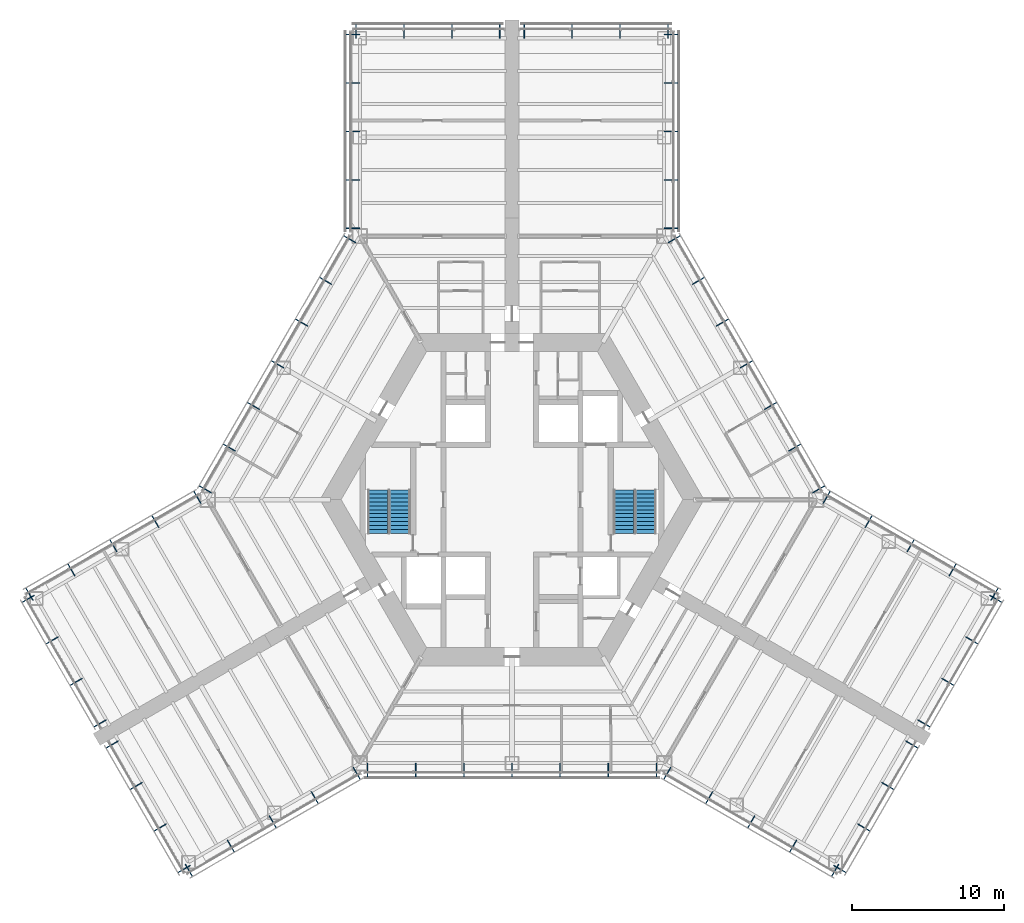
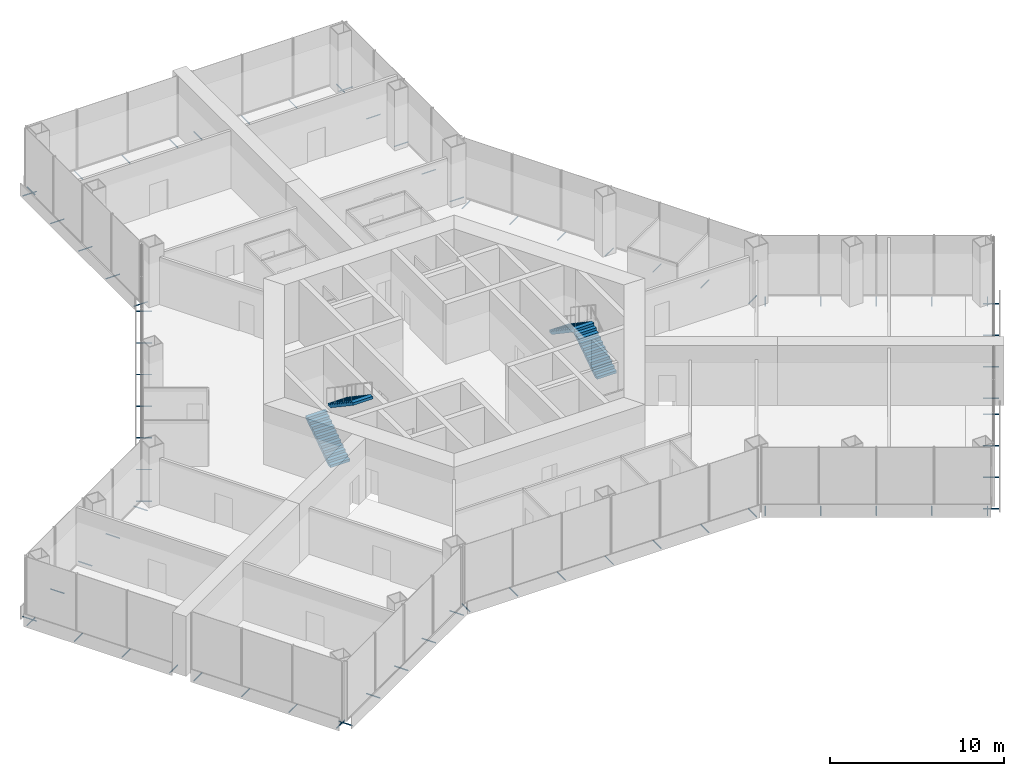
# One storey, part 14 of 16: 75 discrete accessories, 4 stair flights, 2 elements without a shape of their own.
"""IFC4 building model written with IfcOpenShell, lengths in metres."""

from ifc_helpers import new_model, si_unit, direction, frame, origin, origin_2d, place, context, subcontext, project, spatial, polyline, hollow_circle, outline, extrude, material, material_profile, profile_set, type_object, element, aggregate, save


model = new_model("IFC4")

# Units and contexts
model_context = context("Model", 3, precision=1e-05, world=origin(), true_north=direction((0.0, 1.0)))
body_context = subcontext(model_context, "Body", "Model", "MODEL_VIEW")
ifc_project = project(units=[si_unit("LENGTHUNIT", "METRE"), si_unit("AREAUNIT", "SQUARE_METRE"), si_unit("VOLUMEUNIT", "CUBIC_METRE"), si_unit("PLANEANGLEUNIT", "RADIAN"), si_unit("MASSUNIT", "GRAM", prefix="KILO")], contexts=[model_context])

# Site, building, storey
site_placement = place(None, origin())
site = spatial("IfcSite", under=ifc_project, at=site_placement, CompositionType="ELEMENT")
building_placement = place(site_placement, origin())
building = spatial("IfcBuilding", under=site, at=building_placement, Name="Kasaneha Research Tower", CompositionType="ELEMENT")
storey_placement = place(building_placement, frame((0.0, 0.0, 26.800048828125)))
storey = spatial("IfcBuildingStorey", under=building, at=storey_placement, Name="L07", CompositionType="ELEMENT", Elevation=26.800048828125)

# Stair, stair flights
ifc_material_1 = material(Name="Concrete Fc24", Category="concrete")
stair_type = type_object("IfcStairType", Name="Half-turn stair 24 risers", PredefinedType="HALF_TURN_STAIR", material=ifc_material_1)
stair_1_placement = place(storey_placement, origin())
stair_1 = element("IfcStair", 1, at=stair_1_placement, inside=storey, type_object=stair_type, Name="Stair 1 L07", PredefinedType="HALF_TURN_STAIR")
ifc_material_2 = material(Name="Concrete Fc24", Category="concrete")
stair_flight_type = type_object("IfcStairFlightType", Name="Stair flight 12 risers 175.0", PredefinedType="STRAIGHT", material=ifc_material_2)
stair_flight_1_placement = place(storey_placement, frame((8.824951171875, -2.22509765625, 0.0), z_axis=(0.0, 0.0, 1.0), x_axis=(0.0, 1.0, 0.0)))
stair_flight_1 = element("IfcStairFlight", 2, at=stair_flight_1_placement, type_object=stair_flight_type, Name="ST1-24R flight 1", NumberOfRisers=12, NumberOfTreads=11, PredefinedType="STRAIGHT", RiserHeight=0.175, TreadLength=0.26, context=body_context, shape_type="SweptSolid", body=[
    extrude(outline(polyline([(0.0, 0.0), (0.0, 0.175048828125), (0.260009765625, 0.175048828125), (0.260009765625, 0.35009765625), (0.52001953125, 0.35009765625), (0.52001953125, 0.52490234375), (0.780029296875, 0.52490234375), (0.780029296875, 0.699951171875), (1.0400390625, 0.699951171875), (1.0400390625, 0.875), (1.300048828125, 0.875), (1.300048828125, 1.050048828125), (1.56005859375, 1.050048828125), (1.56005859375, 1.22509765625), (1.820068359375, 1.22509765625), (1.820068359375, 1.39990234375), (2.080078125, 1.39990234375), (2.080078125, 1.574951171875), (2.340087890625, 1.574951171875), (2.340087890625, 1.75), (2.60009765625, 1.75), (2.60009765625, 1.925048828125), (2.860107421875, 1.925048828125), (2.860107421875, 2.10009765625), (2.860107421875, 1.744384765625), (0.2685546875, 0.0), (0.0, 0.0)])), frame((0.0, 0.64990234375, 0.0), z_axis=(0.0, -1.0, 0.0), x_axis=(1.0, 0.0, 0.0)), (0.0, 0.0, 1.0), 1.300048828125),
])
stair_flight_2_placement = place(storey_placement, frame((7.324951171875, 0.635009765625, 2.099853515625), z_axis=(0.0, 0.0, 1.0), x_axis=(0.0, -1.0, 0.0)))
stair_flight_2 = element("IfcStairFlight", 3, at=stair_flight_2_placement, type_object=stair_flight_type, Name="ST1-24R flight 2", NumberOfRisers=12, NumberOfTreads=11, PredefinedType="STRAIGHT", RiserHeight=0.175, TreadLength=0.26, context=body_context, shape_type="SweptSolid", body=[
    extrude(outline(polyline([(0.0, 0.0), (0.0, 0.175048828125), (0.260009765625, 0.175048828125), (0.260009765625, 0.35009765625), (0.52001953125, 0.35009765625), (0.52001953125, 0.52490234375), (0.780029296875, 0.52490234375), (0.780029296875, 0.699951171875), (1.0400390625, 0.699951171875), (1.0400390625, 0.875), (1.300048828125, 0.875), (1.300048828125, 1.050048828125), (1.56005859375, 1.050048828125), (1.56005859375, 1.22509765625), (1.820068359375, 1.22509765625), (1.820068359375, 1.39990234375), (2.080078125, 1.39990234375), (2.080078125, 1.574951171875), (2.340087890625, 1.574951171875), (2.340087890625, 1.75), (2.60009765625, 1.75), (2.60009765625, 1.925048828125), (2.860107421875, 1.925048828125), (2.860107421875, 2.10009765625), (2.860107421875, 1.744384765625), (0.2685546875, 0.0), (0.0, 0.0)])), frame((0.0, 0.64990234375, 0.0), z_axis=(0.0, -1.0, 0.0), x_axis=(1.0, 0.0, 0.0)), (0.0, 0.0, 1.0), 1.300048828125),
])
aggregate(stair_1, [stair_flight_1, stair_flight_2])

stair_2_placement = place(storey_placement, origin())
stair_2 = element("IfcStair", 4, at=stair_2_placement, inside=storey, type_object=stair_type, Name="Stair 2 L07", PredefinedType="HALF_TURN_STAIR")
stair_flight_3_placement = place(storey_placement, frame((-8.824951171875, -2.22509765625, 0.0), z_axis=(0.0, 0.0, 1.0), x_axis=(0.0, 1.0, 0.0)))
stair_flight_3 = element("IfcStairFlight", 5, at=stair_flight_3_placement, type_object=stair_flight_type, Name="ST2-24R flight 1", NumberOfRisers=12, NumberOfTreads=11, PredefinedType="STRAIGHT", RiserHeight=0.175, TreadLength=0.26, context=body_context, shape_type="SweptSolid", body=[
    extrude(outline(polyline([(0.0, 0.0), (0.0, 0.175048828125), (0.260009765625, 0.175048828125), (0.260009765625, 0.35009765625), (0.52001953125, 0.35009765625), (0.52001953125, 0.52490234375), (0.780029296875, 0.52490234375), (0.780029296875, 0.699951171875), (1.0400390625, 0.699951171875), (1.0400390625, 0.875), (1.300048828125, 0.875), (1.300048828125, 1.050048828125), (1.56005859375, 1.050048828125), (1.56005859375, 1.22509765625), (1.820068359375, 1.22509765625), (1.820068359375, 1.39990234375), (2.080078125, 1.39990234375), (2.080078125, 1.574951171875), (2.340087890625, 1.574951171875), (2.340087890625, 1.75), (2.60009765625, 1.75), (2.60009765625, 1.925048828125), (2.860107421875, 1.925048828125), (2.860107421875, 2.10009765625), (2.860107421875, 1.744384765625), (0.2685546875, 0.0), (0.0, 0.0)])), frame((0.0, 0.64990234375, 0.0), z_axis=(0.0, -1.0, 0.0), x_axis=(1.0, 0.0, 0.0)), (0.0, 0.0, 1.0), 1.300048828125),
])
stair_flight_4_placement = place(storey_placement, frame((-7.324951171875, 0.635009765625, 2.099853515625), z_axis=(0.0, 0.0, 1.0), x_axis=(0.0, -1.0, 0.0)))
stair_flight_4 = element("IfcStairFlight", 6, at=stair_flight_4_placement, type_object=stair_flight_type, Name="ST2-24R flight 2", NumberOfRisers=12, NumberOfTreads=11, PredefinedType="STRAIGHT", RiserHeight=0.175, TreadLength=0.26, context=body_context, shape_type="SweptSolid", body=[
    extrude(outline(polyline([(0.0, 0.0), (0.0, 0.175048828125), (0.260009765625, 0.175048828125), (0.260009765625, 0.35009765625), (0.52001953125, 0.35009765625), (0.52001953125, 0.52490234375), (0.780029296875, 0.52490234375), (0.780029296875, 0.699951171875), (1.0400390625, 0.699951171875), (1.0400390625, 0.875), (1.300048828125, 0.875), (1.300048828125, 1.050048828125), (1.56005859375, 1.050048828125), (1.56005859375, 1.22509765625), (1.820068359375, 1.22509765625), (1.820068359375, 1.39990234375), (2.080078125, 1.39990234375), (2.080078125, 1.574951171875), (2.340087890625, 1.574951171875), (2.340087890625, 1.75), (2.60009765625, 1.75), (2.60009765625, 1.925048828125), (2.860107421875, 1.925048828125), (2.860107421875, 2.10009765625), (2.860107421875, 1.744384765625), (0.2685546875, 0.0), (0.0, 0.0)])), frame((0.0, 0.64990234375, 0.0), z_axis=(0.0, -1.0, 0.0), x_axis=(1.0, 0.0, 0.0)), (0.0, 0.0, 1.0), 1.300048828125),
])
aggregate(stair_2, [stair_flight_3, stair_flight_4])

# Discrete accessories
ifc_material_3 = material(Name="Steel STK400", Category="steel")
ifc_material_profile = material_profile(ifc_material_3, hollow_circle(Radius=0.0380859375, WallThickness=0.00390625, at=origin_2d()), Name="CHS-76.3x4.0")
ifc_profile_set = profile_set([ifc_material_profile], Name="Steel STK400")
discrete_accessory_type = type_object("IfcDiscreteAccessoryType", Name="Screen bracket CHS-76.3x4.0", PredefinedType="BRACKET", material=ifc_profile_set)
discrete_accessory_1_placement = place(storey_placement, frame((-21.474853515625, -23.945556640625, -0.35009765625), z_axis=(0.500021113727, -0.866013213425, 0.0), x_axis=(0.866013213425, 0.500021113727, 0.0)))
element("IfcDiscreteAccessory", 7, at=discrete_accessory_1_placement, inside=storey, type_object=discrete_accessory_type, Name="Screen bracket 1", PredefinedType="BRACKET", context=body_context, shape_type="SweptSolid", body=[
    extrude(hollow_circle(Radius=0.0380859375, WallThickness=0.00390625, at=origin_2d()), origin(), (0.0, 0.0, 1.0), 0.919921875),
])
discrete_accessory_2_placement = place(storey_placement, frame((-18.716796875, -22.35302734375, -0.35009765625), z_axis=(0.500105201737, -0.865964657013, 0.0), x_axis=(0.865964657013, 0.500105201737, 0.0)))
element("IfcDiscreteAccessory", 8, at=discrete_accessory_2_placement, inside=storey, type_object=discrete_accessory_type, Name="Screen bracket 2", PredefinedType="BRACKET", context=body_context, shape_type="SweptSolid", body=[
    extrude(hollow_circle(Radius=0.0380859375, WallThickness=0.00390625, at=origin_2d()), origin(), (0.0, 0.0, 1.0), 0.920166015625),
])
discrete_accessory_3_placement = place(storey_placement, frame((-15.95849609375, -20.7607421875, -0.35009765625), z_axis=(0.500021113727, -0.866013213425, 0.0), x_axis=(0.866013213425, 0.500021113727, 0.0)))
element("IfcDiscreteAccessory", 9, at=discrete_accessory_3_placement, inside=storey, type_object=discrete_accessory_type, Name="Screen bracket 3", PredefinedType="BRACKET", context=body_context, shape_type="SweptSolid", body=[
    extrude(hollow_circle(Radius=0.0380859375, WallThickness=0.00390625, at=origin_2d()), origin(), (0.0, 0.0, 1.0), 0.919921875),
])
discrete_accessory_4_placement = place(storey_placement, frame((-13.200439453125, -19.168212890625, -0.35009765625), z_axis=(0.499906209203, -0.866079547155, 0.0), x_axis=(0.866079547155, 0.499906209203, 0.0)))
element("IfcDiscreteAccessory", 10, at=discrete_accessory_4_placement, inside=storey, type_object=discrete_accessory_type, Name="Screen bracket 4", PredefinedType="BRACKET", context=body_context, shape_type="SweptSolid", body=[
    extrude(hollow_circle(Radius=0.0380859375, WallThickness=0.00390625, at=origin_2d()), origin(), (0.0, 0.0, 1.0), 0.920166015625),
])
for number, where, z_axis, x_axis, name in (
    (11, (-10.4423828125, -17.575927734375, -0.35009765625), (0.500021113727, -0.866013213425, 0.0), (0.866013213425, 0.500021113727, 0.0), "Screen bracket 5"),
    (12, (-9.4892578125, -17.320556640625, -0.35009765625), (0.0, -1.0, 0.0), (1.0, 0.0, 0.0), "Screen bracket 1"),
    (13, (-6.326171875, -17.320556640625, -0.35009765625), (0.0, -1.0, 0.0), (1.0, 0.0, 0.0), "Screen bracket 2"),
    (14, (-3.1630859375, -17.320556640625, -0.35009765625), (0.0, -1.0, 0.0), (1.0, 0.0, 0.0), "Screen bracket 3"),
    (15, (0.0, -17.320556640625, -0.35009765625), (0.0, -1.0, 0.0), (1.0, 0.0, 0.0), "Screen bracket 4"),
    (16, (3.1630859375, -17.320556640625, -0.35009765625), (0.0, -1.0, 0.0), (1.0, 0.0, 0.0), "Screen bracket 5"),
    (17, (6.326171875, -17.320556640625, -0.35009765625), (0.0, -1.0, 0.0), (1.0, 0.0, 0.0), "Screen bracket 6"),
    (18, (9.4892578125, -17.320556640625, -0.35009765625), (0.0, -1.0, 0.0), (1.0, 0.0, 0.0), "Screen bracket 7"),
    (19, (10.4423828125, -17.575927734375, -0.35009765625), (-0.500021113727, -0.866013213425, 0.0), (0.866013213425, -0.500021113727, 0.0), "Screen bracket 1"),
):
    element("IfcDiscreteAccessory", number, at=place(storey_placement, frame(where, z_axis=z_axis, x_axis=x_axis)), inside=storey, type_object=discrete_accessory_type, Name=name, PredefinedType="BRACKET", context=body_context, shape_type="SweptSolid", body=[
        extrude(hollow_circle(Radius=0.0380859375, WallThickness=0.00390625, at=origin_2d()), origin(), (0.0, 0.0, 1.0), 0.919921875),
    ])
discrete_accessory_5_placement = place(storey_placement, frame((13.200439453125, -19.168212890625, -0.35009765625), z_axis=(-0.499906209203, -0.866079547155, 0.0), x_axis=(0.866079547155, -0.499906209203, 0.0)))
element("IfcDiscreteAccessory", 20, at=discrete_accessory_5_placement, inside=storey, type_object=discrete_accessory_type, Name="Screen bracket 2", PredefinedType="BRACKET", context=body_context, shape_type="SweptSolid", body=[
    extrude(hollow_circle(Radius=0.0380859375, WallThickness=0.00390625, at=origin_2d()), origin(), (0.0, 0.0, 1.0), 0.920166015625),
])
discrete_accessory_6_placement = place(storey_placement, frame((15.95849609375, -20.7607421875, -0.35009765625), z_axis=(-0.500021113727, -0.866013213425, 0.0), x_axis=(0.866013213425, -0.500021113727, 0.0)))
element("IfcDiscreteAccessory", 21, at=discrete_accessory_6_placement, inside=storey, type_object=discrete_accessory_type, Name="Screen bracket 3", PredefinedType="BRACKET", context=body_context, shape_type="SweptSolid", body=[
    extrude(hollow_circle(Radius=0.0380859375, WallThickness=0.00390625, at=origin_2d()), origin(), (0.0, 0.0, 1.0), 0.919921875),
])
discrete_accessory_7_placement = place(storey_placement, frame((18.716796875, -22.35302734375, -0.35009765625), z_axis=(-0.500105201737, -0.865964657013, 0.0), x_axis=(0.865964657013, -0.500105201737, 0.0)))
element("IfcDiscreteAccessory", 22, at=discrete_accessory_7_placement, inside=storey, type_object=discrete_accessory_type, Name="Screen bracket 4", PredefinedType="BRACKET", context=body_context, shape_type="SweptSolid", body=[
    extrude(hollow_circle(Radius=0.0380859375, WallThickness=0.00390625, at=origin_2d()), origin(), (0.0, 0.0, 1.0), 0.920166015625),
])
discrete_accessory_8_placement = place(storey_placement, frame((21.474853515625, -23.945556640625, -0.35009765625), z_axis=(-0.500021113727, -0.866013213425, 0.0), x_axis=(0.866013213425, -0.500021113727, 0.0)))
element("IfcDiscreteAccessory", 23, at=discrete_accessory_8_placement, inside=storey, type_object=discrete_accessory_type, Name="Screen bracket 5", PredefinedType="BRACKET", context=body_context, shape_type="SweptSolid", body=[
    extrude(hollow_circle(Radius=0.0380859375, WallThickness=0.00390625, at=origin_2d()), origin(), (0.0, 0.0, 1.0), 0.919921875),
])
for number, where, z_axis, x_axis, name in (
    (24, (21.13330078125, -24.037109375, -0.35009765625), (0.866079547155, -0.499906209203, 0.0), (0.499906209203, 0.866079547155, 0.0), "Screen bracket 1"),
    (25, (22.708251953125, -21.30908203125, -0.35009765625), (0.866079547155, -0.499906209203, 0.0), (0.499906209203, 0.866079547155, 0.0), "Screen bracket 2"),
):
    element("IfcDiscreteAccessory", number, at=place(storey_placement, frame(where, z_axis=z_axis, x_axis=x_axis)), inside=storey, type_object=discrete_accessory_type, Name=name, PredefinedType="BRACKET", context=body_context, shape_type="SweptSolid", body=[
        extrude(hollow_circle(Radius=0.0380859375, WallThickness=0.00390625, at=origin_2d()), origin(), (0.0, 0.0, 1.0), 0.920166015625),
    ])
for number, where, z_axis, x_axis, name in (
    (26, (24.283447265625, -18.5810546875, -0.35009765625), (0.866013213425, -0.500021113727, 0.0), (0.500021113727, 0.866013213425, 0.0), "Screen bracket 3"),
    (27, (25.8583984375, -15.85302734375, -0.35009765625), (0.866013213425, -0.500021113727, 0.0), (0.500021113727, 0.866013213425, 0.0), "Screen bracket 4"),
    (28, (26.658447265625, -14.467529296875, -0.35009765625), (0.866013213425, -0.500021113727, 0.0), (0.500021113727, 0.866013213425, 0.0), "Screen bracket 1"),
    (29, (28.2333984375, -11.739501953125, -0.35009765625), (0.866013213425, -0.500021113727, 0.0), (0.500021113727, 0.866013213425, 0.0), "Screen bracket 2"),
    (30, (29.808349609375, -9.011474609375, -0.35009765625), (0.866013213425, -0.500021113727, 0.0), (0.500021113727, 0.866013213425, 0.0), "Screen bracket 3"),
):
    element("IfcDiscreteAccessory", number, at=place(storey_placement, frame(where, z_axis=z_axis, x_axis=x_axis)), inside=storey, type_object=discrete_accessory_type, Name=name, PredefinedType="BRACKET", context=body_context, shape_type="SweptSolid", body=[
        extrude(hollow_circle(Radius=0.0380859375, WallThickness=0.00390625, at=origin_2d()), origin(), (0.0, 0.0, 1.0), 0.919921875),
    ])
discrete_accessory_9_placement = place(storey_placement, frame((31.38330078125, -6.283447265625, -0.35009765625), z_axis=(0.866079547155, -0.499906209203, 0.0), x_axis=(0.499906209203, 0.866079547155, 0.0)))
element("IfcDiscreteAccessory", 31, at=discrete_accessory_9_placement, inside=storey, type_object=discrete_accessory_type, Name="Screen bracket 4", PredefinedType="BRACKET", context=body_context, shape_type="SweptSolid", body=[
    extrude(hollow_circle(Radius=0.0380859375, WallThickness=0.00390625, at=origin_2d()), origin(), (0.0, 0.0, 1.0), 0.920166015625),
])
discrete_accessory_10_placement = place(storey_placement, frame((31.474853515625, -6.625, -0.35009765625), z_axis=(0.500021113727, 0.866013213425, 0.0), x_axis=(-0.866013213425, 0.500021113727, 0.0)))
element("IfcDiscreteAccessory", 32, at=discrete_accessory_10_placement, inside=storey, type_object=discrete_accessory_type, Name="Screen bracket 1", PredefinedType="BRACKET", context=body_context, shape_type="SweptSolid", body=[
    extrude(hollow_circle(Radius=0.0380859375, WallThickness=0.00390625, at=origin_2d()), origin(), (0.0, 0.0, 1.0), 0.919921875),
])
discrete_accessory_11_placement = place(storey_placement, frame((28.716796875, -5.03271484375, -0.35009765625), z_axis=(0.499906209203, 0.866079547155, 0.0), x_axis=(-0.866079547155, 0.499906209203, 0.0)))
element("IfcDiscreteAccessory", 33, at=discrete_accessory_11_placement, inside=storey, type_object=discrete_accessory_type, Name="Screen bracket 2", PredefinedType="BRACKET", context=body_context, shape_type="SweptSolid", body=[
    extrude(hollow_circle(Radius=0.0380859375, WallThickness=0.00390625, at=origin_2d()), origin(), (0.0, 0.0, 1.0), 0.920166015625),
])
discrete_accessory_12_placement = place(storey_placement, frame((25.95849609375, -3.440185546875, -0.35009765625), z_axis=(0.500220121494, 0.865898279276, 0.0), x_axis=(-0.865898279276, 0.500220121494, 0.0)))
element("IfcDiscreteAccessory", 34, at=discrete_accessory_12_placement, inside=storey, type_object=discrete_accessory_type, Name="Screen bracket 3", PredefinedType="BRACKET", context=body_context, shape_type="SweptSolid", body=[
    extrude(hollow_circle(Radius=0.0380859375, WallThickness=0.00390625, at=origin_2d()), origin(), (0.0, 0.0, 1.0), 0.919921875),
])
discrete_accessory_13_placement = place(storey_placement, frame((23.200439453125, -1.847900390625, -0.35009765625), z_axis=(0.499906209203, 0.866079547155, 0.0), x_axis=(-0.866079547155, 0.499906209203, 0.0)))
element("IfcDiscreteAccessory", 35, at=discrete_accessory_13_placement, inside=storey, type_object=discrete_accessory_type, Name="Screen bracket 4", PredefinedType="BRACKET", context=body_context, shape_type="SweptSolid", body=[
    extrude(hollow_circle(Radius=0.0380859375, WallThickness=0.00390625, at=origin_2d()), origin(), (0.0, 0.0, 1.0), 0.920166015625),
])
for number, where, z_axis, x_axis, name in (
    (36, (20.4423828125, -0.25537109375, -0.35009765625), (0.500021113727, 0.866013213425, 0.0), (-0.866013213425, 0.500021113727, 0.0), "Screen bracket 5"),
    (37, (19.74462890625, 0.4423828125, -0.35009765625), (0.866013213425, 0.500021113727, 0.0), (-0.500021113727, 0.866013213425, 0.0), "Screen bracket 1"),
    (38, (18.1630859375, 3.181640625, -0.35009765625), (0.866013213425, 0.500021113727, 0.0), (-0.500021113727, 0.866013213425, 0.0), "Screen bracket 2"),
    (39, (16.58154296875, 5.9208984375, -0.35009765625), (0.866013213425, 0.500021113727, 0.0), (-0.500021113727, 0.866013213425, 0.0), "Screen bracket 3"),
    (40, (15.0, 8.66015625, -0.35009765625), (0.865898279276, 0.500220121494, 0.0), (-0.500220121494, 0.865898279276, 0.0), "Screen bracket 4"),
    (41, (13.41845703125, 11.399658203125, -0.35009765625), (0.866013213425, 0.500021113727, 0.0), (-0.500021113727, 0.866013213425, 0.0), "Screen bracket 5"),
    (42, (11.8369140625, 14.138916015625, -0.35009765625), (0.866013213425, 0.500021113727, 0.0), (-0.500021113727, 0.866013213425, 0.0), "Screen bracket 6"),
):
    element("IfcDiscreteAccessory", number, at=place(storey_placement, frame(where, z_axis=z_axis, x_axis=x_axis)), inside=storey, type_object=discrete_accessory_type, Name=name, PredefinedType="BRACKET", context=body_context, shape_type="SweptSolid", body=[
        extrude(hollow_circle(Radius=0.0380859375, WallThickness=0.00390625, at=origin_2d()), origin(), (0.0, 0.0, 1.0), 0.919921875),
    ])
discrete_accessory_14_placement = place(storey_placement, frame((10.25537109375, 16.878173828125, -0.35009765625), z_axis=(0.866079547155, 0.499906209203, 0.0), x_axis=(-0.499906209203, 0.866079547155, 0.0)))
element("IfcDiscreteAccessory", 43, at=discrete_accessory_14_placement, inside=storey, type_object=discrete_accessory_type, Name="Screen bracket 7", PredefinedType="BRACKET", context=body_context, shape_type="SweptSolid", body=[
    extrude(hollow_circle(Radius=0.0380859375, WallThickness=0.00390625, at=origin_2d()), origin(), (0.0, 0.0, 1.0), 0.920166015625),
])
for number, where, z_axis, x_axis, name in (
    (44, (10.0, 17.831298828125, -0.35009765625), (1.0, 0.0, 0.0), (0.0, 1.0, 0.0), "Screen bracket 1"),
    (45, (10.0, 21.01611328125, -0.35009765625), (1.0, 0.0, 0.0), (0.0, 1.0, 0.0), "Screen bracket 2"),
    (46, (10.0, 24.200927734375, -0.35009765625), (1.0, 0.0, 0.0), (0.0, 1.0, 0.0), "Screen bracket 3"),
    (47, (10.0, 27.3857421875, -0.35009765625), (1.0, 0.0, 0.0), (0.0, 1.0, 0.0), "Screen bracket 4"),
    (48, (10.0, 30.570556640625, -0.35009765625), (1.0, 0.0, 0.0), (0.0, 1.0, 0.0), "Screen bracket 5"),
    (49, (10.25, 30.320556640625, -0.35009765625), (0.0, 1.0, 0.0), (-1.0, 0.0, 0.0), "Screen bracket 1"),
    (50, (7.10009765625, 30.320556640625, -0.35009765625), (0.0, 1.0, 0.0), (-1.0, 0.0, 0.0), "Screen bracket 2"),
    (51, (3.949951171875, 30.320556640625, -0.35009765625), (0.0, 1.0, 0.0), (-1.0, 0.0, 0.0), "Screen bracket 3"),
    (52, (0.800048828125, 30.320556640625, -0.35009765625), (0.0, 1.0, 0.0), (-1.0, 0.0, 0.0), "Screen bracket 4"),
    (53, (-0.800048828125, 30.320556640625, -0.35009765625), (0.0, 1.0, 0.0), (-1.0, 0.0, 0.0), "Screen bracket 1"),
    (54, (-3.949951171875, 30.320556640625, -0.35009765625), (0.0, 1.0, 0.0), (-1.0, 0.0, 0.0), "Screen bracket 2"),
    (55, (-7.10009765625, 30.320556640625, -0.35009765625), (0.0, 1.0, 0.0), (-1.0, 0.0, 0.0), "Screen bracket 3"),
    (56, (-10.25, 30.320556640625, -0.35009765625), (0.0, 1.0, 0.0), (-1.0, 0.0, 0.0), "Screen bracket 4"),
    (57, (-10.0, 30.570556640625, -0.35009765625), (-1.0, 0.0, 0.0), (0.0, -1.0, 0.0), "Screen bracket 1"),
    (58, (-10.0, 27.3857421875, -0.35009765625), (-1.0, 0.0, 0.0), (0.0, -1.0, 0.0), "Screen bracket 2"),
    (59, (-10.0, 24.200927734375, -0.35009765625), (-1.0, 0.0, 0.0), (0.0, -1.0, 0.0), "Screen bracket 3"),
    (60, (-10.0, 21.01611328125, -0.35009765625), (-1.0, 0.0, 0.0), (0.0, -1.0, 0.0), "Screen bracket 4"),
    (61, (-10.0, 17.831298828125, -0.35009765625), (-1.0, 0.0, 0.0), (0.0, -1.0, 0.0), "Screen bracket 5"),
):
    element("IfcDiscreteAccessory", number, at=place(storey_placement, frame(where, z_axis=z_axis, x_axis=x_axis)), inside=storey, type_object=discrete_accessory_type, Name=name, PredefinedType="BRACKET", context=body_context, shape_type="SweptSolid", body=[
        extrude(hollow_circle(Radius=0.0380859375, WallThickness=0.00390625, at=origin_2d()), origin(), (0.0, 0.0, 1.0), 0.919921875),
    ])
discrete_accessory_15_placement = place(storey_placement, frame((-10.25537109375, 16.878173828125, -0.35009765625), z_axis=(-0.866079547155, 0.499906209203, 0.0), x_axis=(-0.499906209203, -0.866079547155, 0.0)))
element("IfcDiscreteAccessory", 62, at=discrete_accessory_15_placement, inside=storey, type_object=discrete_accessory_type, Name="Screen bracket 1", PredefinedType="BRACKET", context=body_context, shape_type="SweptSolid", body=[
    extrude(hollow_circle(Radius=0.0380859375, WallThickness=0.00390625, at=origin_2d()), origin(), (0.0, 0.0, 1.0), 0.920166015625),
])
for number, where, z_axis, x_axis, name in (
    (63, (-11.8369140625, 14.138916015625, -0.35009765625), (-0.866013213425, 0.500021113727, 0.0), (-0.500021113727, -0.866013213425, 0.0), "Screen bracket 2"),
    (64, (-13.41845703125, 11.399658203125, -0.35009765625), (-0.866013213425, 0.500021113727, 0.0), (-0.500021113727, -0.866013213425, 0.0), "Screen bracket 3"),
    (65, (-15.0, 8.66015625, -0.35009765625), (-0.865898279276, 0.500220121494, 0.0), (-0.500220121494, -0.865898279276, 0.0), "Screen bracket 4"),
    (66, (-16.58154296875, 5.9208984375, -0.35009765625), (-0.866013213425, 0.500021113727, 0.0), (-0.500021113727, -0.866013213425, 0.0), "Screen bracket 5"),
    (67, (-18.1630859375, 3.181640625, -0.35009765625), (-0.866013213425, 0.500021113727, 0.0), (-0.500021113727, -0.866013213425, 0.0), "Screen bracket 6"),
    (68, (-19.74462890625, 0.4423828125, -0.35009765625), (-0.866013213425, 0.500021113727, 0.0), (-0.500021113727, -0.866013213425, 0.0), "Screen bracket 7"),
    (69, (-20.4423828125, -0.25537109375, -0.35009765625), (-0.500021113727, 0.866013213425, 0.0), (-0.866013213425, -0.500021113727, 0.0), "Screen bracket 1"),
):
    element("IfcDiscreteAccessory", number, at=place(storey_placement, frame(where, z_axis=z_axis, x_axis=x_axis)), inside=storey, type_object=discrete_accessory_type, Name=name, PredefinedType="BRACKET", context=body_context, shape_type="SweptSolid", body=[
        extrude(hollow_circle(Radius=0.0380859375, WallThickness=0.00390625, at=origin_2d()), origin(), (0.0, 0.0, 1.0), 0.919921875),
    ])
discrete_accessory_16_placement = place(storey_placement, frame((-23.200439453125, -1.847900390625, -0.35009765625), z_axis=(-0.499906209203, 0.866079547155, 0.0), x_axis=(-0.866079547155, -0.499906209203, 0.0)))
element("IfcDiscreteAccessory", 70, at=discrete_accessory_16_placement, inside=storey, type_object=discrete_accessory_type, Name="Screen bracket 2", PredefinedType="BRACKET", context=body_context, shape_type="SweptSolid", body=[
    extrude(hollow_circle(Radius=0.0380859375, WallThickness=0.00390625, at=origin_2d()), origin(), (0.0, 0.0, 1.0), 0.920166015625),
])
discrete_accessory_17_placement = place(storey_placement, frame((-25.95849609375, -3.440185546875, -0.35009765625), z_axis=(-0.500220121494, 0.865898279276, 0.0), x_axis=(-0.865898279276, -0.500220121494, 0.0)))
element("IfcDiscreteAccessory", 71, at=discrete_accessory_17_placement, inside=storey, type_object=discrete_accessory_type, Name="Screen bracket 3", PredefinedType="BRACKET", context=body_context, shape_type="SweptSolid", body=[
    extrude(hollow_circle(Radius=0.0380859375, WallThickness=0.00390625, at=origin_2d()), origin(), (0.0, 0.0, 1.0), 0.919921875),
])
discrete_accessory_18_placement = place(storey_placement, frame((-28.716796875, -5.03271484375, -0.35009765625), z_axis=(-0.499906209203, 0.866079547155, 0.0), x_axis=(-0.866079547155, -0.499906209203, 0.0)))
element("IfcDiscreteAccessory", 72, at=discrete_accessory_18_placement, inside=storey, type_object=discrete_accessory_type, Name="Screen bracket 4", PredefinedType="BRACKET", context=body_context, shape_type="SweptSolid", body=[
    extrude(hollow_circle(Radius=0.0380859375, WallThickness=0.00390625, at=origin_2d()), origin(), (0.0, 0.0, 1.0), 0.920166015625),
])
discrete_accessory_19_placement = place(storey_placement, frame((-31.474853515625, -6.625, -0.35009765625), z_axis=(-0.500021113727, 0.866013213425, 0.0), x_axis=(-0.866013213425, -0.500021113727, 0.0)))
element("IfcDiscreteAccessory", 73, at=discrete_accessory_19_placement, inside=storey, type_object=discrete_accessory_type, Name="Screen bracket 5", PredefinedType="BRACKET", context=body_context, shape_type="SweptSolid", body=[
    extrude(hollow_circle(Radius=0.0380859375, WallThickness=0.00390625, at=origin_2d()), origin(), (0.0, 0.0, 1.0), 0.919921875),
])
discrete_accessory_20_placement = place(storey_placement, frame((-31.38330078125, -6.283447265625, -0.35009765625), z_axis=(-0.866079547155, -0.499906209203, 0.0), x_axis=(0.499906209203, -0.866079547155, 0.0)))
element("IfcDiscreteAccessory", 74, at=discrete_accessory_20_placement, inside=storey, type_object=discrete_accessory_type, Name="Screen bracket 1", PredefinedType="BRACKET", context=body_context, shape_type="SweptSolid", body=[
    extrude(hollow_circle(Radius=0.0380859375, WallThickness=0.00390625, at=origin_2d()), origin(), (0.0, 0.0, 1.0), 0.920166015625),
])
for number, where, z_axis, x_axis, name in (
    (75, (-29.808349609375, -9.011474609375, -0.35009765625), (-0.866013213425, -0.500021113727, 0.0), (0.500021113727, -0.866013213425, 0.0), "Screen bracket 2"),
    (76, (-28.2333984375, -11.739501953125, -0.35009765625), (-0.866013213425, -0.500021113727, 0.0), (0.500021113727, -0.866013213425, 0.0), "Screen bracket 3"),
    (77, (-26.658447265625, -14.467529296875, -0.35009765625), (-0.866013213425, -0.500021113727, 0.0), (0.500021113727, -0.866013213425, 0.0), "Screen bracket 4"),
    (78, (-25.8583984375, -15.85302734375, -0.35009765625), (-0.866013213425, -0.500021113727, 0.0), (0.500021113727, -0.866013213425, 0.0), "Screen bracket 1"),
    (79, (-24.283447265625, -18.5810546875, -0.35009765625), (-0.866013213425, -0.500021113727, 0.0), (0.500021113727, -0.866013213425, 0.0), "Screen bracket 2"),
):
    element("IfcDiscreteAccessory", number, at=place(storey_placement, frame(where, z_axis=z_axis, x_axis=x_axis)), inside=storey, type_object=discrete_accessory_type, Name=name, PredefinedType="BRACKET", context=body_context, shape_type="SweptSolid", body=[
        extrude(hollow_circle(Radius=0.0380859375, WallThickness=0.00390625, at=origin_2d()), origin(), (0.0, 0.0, 1.0), 0.919921875),
    ])
for number, where, z_axis, x_axis, name in (
    (80, (-22.708251953125, -21.30908203125, -0.35009765625), (-0.866079547155, -0.499906209203, 0.0), (0.499906209203, -0.866079547155, 0.0), "Screen bracket 3"),
    (81, (-21.13330078125, -24.037109375, -0.35009765625), (-0.866079547155, -0.499906209203, 0.0), (0.499906209203, -0.866079547155, 0.0), "Screen bracket 4"),
):
    element("IfcDiscreteAccessory", number, at=place(storey_placement, frame(where, z_axis=z_axis, x_axis=x_axis)), inside=storey, type_object=discrete_accessory_type, Name=name, PredefinedType="BRACKET", context=body_context, shape_type="SweptSolid", body=[
        extrude(hollow_circle(Radius=0.0380859375, WallThickness=0.00390625, at=origin_2d()), origin(), (0.0, 0.0, 1.0), 0.920166015625),
    ])

save(model, "model.ifc")
